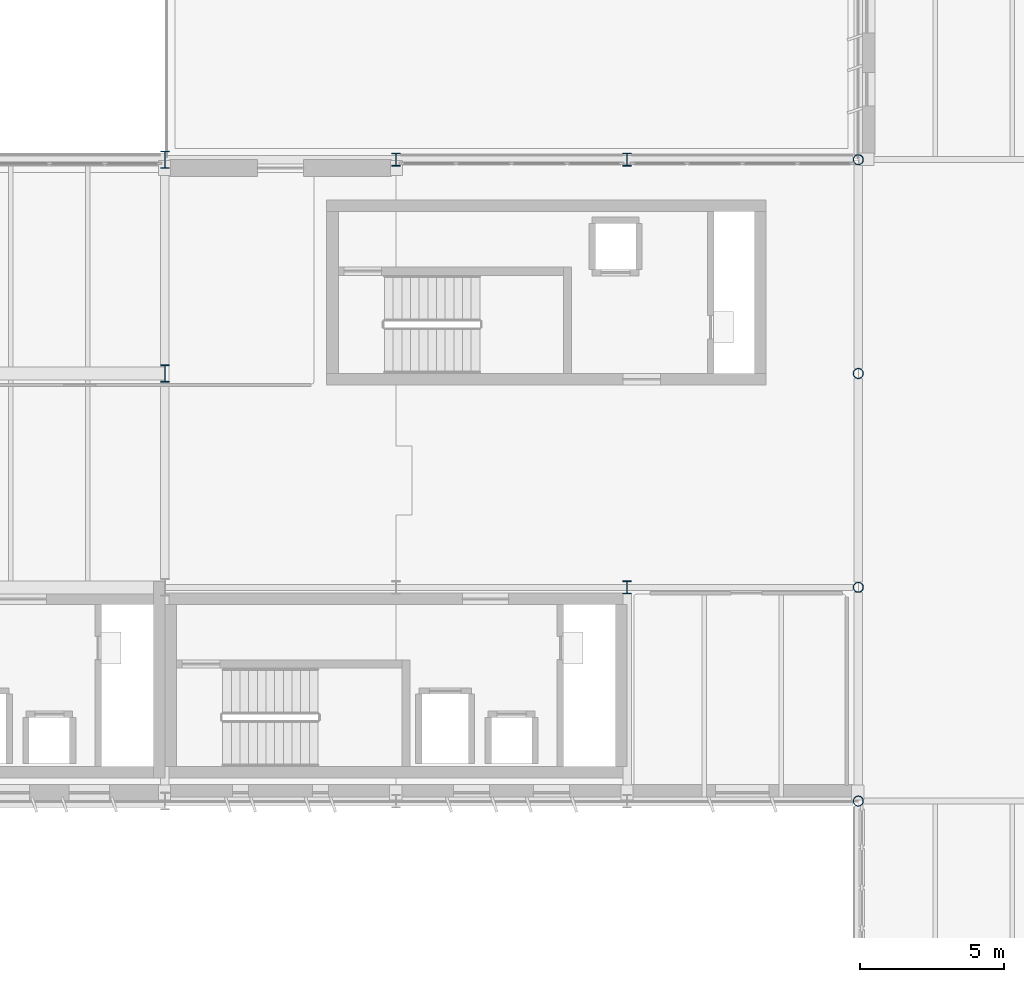
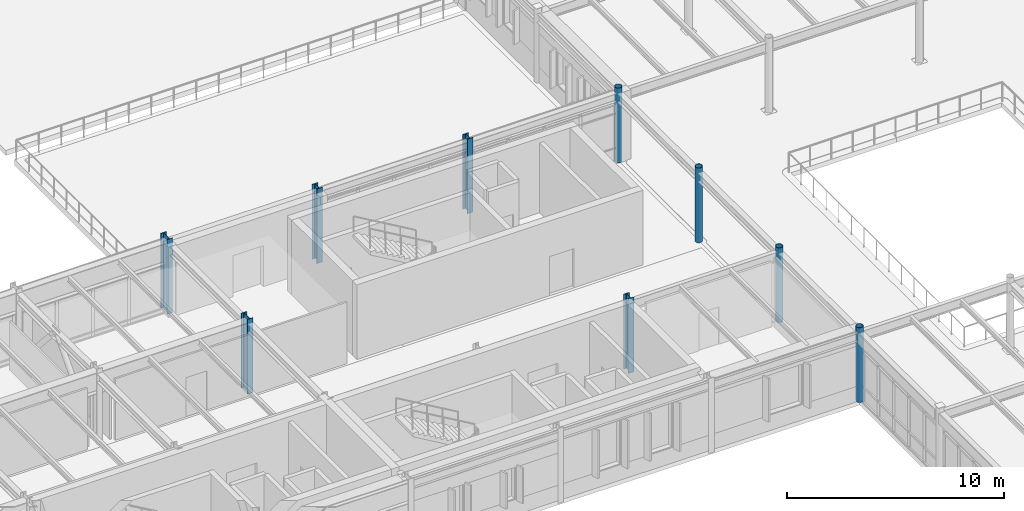
# One storey, part 3 of 63: 9 columns.
"""IFC4 building model written with IfcOpenShell, lengths in metres."""

from ifc_helpers import new_model, si_unit, direction, frame, origin, origin_2d, place, context, subcontext, project, spatial, hollow_circle, i_section, extrude, material, material_profile, profile_set, type_object, element, save


model = new_model("IFC4")

# Units and contexts
model_context = context("Model", 3, precision=1e-05, world=origin(), true_north=direction((0.0, 1.0)))
body_context = subcontext(model_context, "Body", "Model", "MODEL_VIEW")
ifc_project = project(units=[si_unit("LENGTHUNIT", "METRE"), si_unit("AREAUNIT", "SQUARE_METRE"), si_unit("VOLUMEUNIT", "CUBIC_METRE"), si_unit("PLANEANGLEUNIT", "RADIAN"), si_unit("MASSUNIT", "GRAM", prefix="KILO")], contexts=[model_context])

# Site, building, storey
site_placement = place(None, origin())
site = spatial("IfcSite", under=ifc_project, at=site_placement, CompositionType="ELEMENT")
building_placement = place(site_placement, origin())
building = spatial("IfcBuilding", under=site, at=building_placement, Name="Valkorina Park Police Headquarters", CompositionType="ELEMENT")
storey_placement = place(building_placement, frame((0.0, 0.0, 9.89990234375)))
storey = spatial("IfcBuildingStorey", under=building, at=storey_placement, Name="L03", CompositionType="ELEMENT", Elevation=9.89990234375)

# Columns
ifc_material = material(Name="Steel S355", Category="steel")
ifc_material_profile_1 = material_profile(ifc_material, hollow_circle(Radius=0.177734375, WallThickness=0.01611328125, at=origin_2d()), Name="CHS 355.6x16")
ifc_profile_set_1 = profile_set([ifc_material_profile_1], Name="Steel S355")
column_type_1 = type_object("IfcColumnType", Name="COL-S355-CHS355-EXT", PredefinedType="COLUMN", material=ifc_profile_set_1)
for number, where, z_axis, x_axis, name in (
    (1, (56.800048828125, 37.0, 0.0), (0.0, 0.0, 1.0), (1.0, 0.0, 0.0), "L03 Column 0751"),
    (2, (56.800048828125, 59.199951171875, 0.0), (0.0, 0.0, 1.0), (1.0, 0.0, 0.0), "L03 Column 0754"),
):
    element("IfcColumn", number, at=place(storey_placement, frame(where, z_axis=z_axis, x_axis=x_axis)), inside=storey, type_object=column_type_1, Name=name, PredefinedType="COLUMN", context=body_context, shape_type="SweptSolid", body=[
        extrude(hollow_circle(Radius=0.177734375, WallThickness=0.01611328125, at=origin_2d()), origin(), (0.0, 0.0, 1.0), 4.2001953125),
    ])
ifc_material_profile_2 = material_profile(ifc_material, hollow_circle(Radius=0.177734375, WallThickness=0.01611328125, at=origin_2d()), Name="CHS 355.6x16")
ifc_profile_set_2 = profile_set([ifc_material_profile_2], Name="Steel S355")
column_type_2 = type_object("IfcColumnType", Name="COL-S355-CHS355-INT", PredefinedType="COLUMN", material=ifc_profile_set_2)
for number, where, z_axis, x_axis, name in (
    (3, (56.800048828125, 44.39990234375, 0.0), (0.0, 0.0, 1.0), (1.0, 0.0, 0.0), "L03 Column 0752"),
    (4, (56.800048828125, 51.800048828125, 0.0), (0.0, 0.0, 1.0), (1.0, 0.0, 0.0), "L03 Column 0753"),
):
    element("IfcColumn", number, at=place(storey_placement, frame(where, z_axis=z_axis, x_axis=x_axis)), inside=storey, type_object=column_type_2, Name=name, PredefinedType="COLUMN", context=body_context, shape_type="SweptSolid", body=[
        extrude(hollow_circle(Radius=0.177734375, WallThickness=0.01611328125, at=origin_2d()), origin(), (0.0, 0.0, 1.0), 4.2001953125),
    ])
ifc_material_profile_3 = material_profile(ifc_material, i_section(OverallWidth=0.300048828125, OverallDepth=0.449951171875, WebThickness=0.013916015625, FlangeThickness=0.02587890625, FilletRadius=0.027099609375, at=origin_2d()), Name="HEB 450")
ifc_profile_set_3 = profile_set([ifc_material_profile_3], Name="Steel S355")
column_type_3 = type_object("IfcColumnType", Name="COL-S355-HEB450-EXT", PredefinedType="COLUMN", material=ifc_profile_set_3)
for number, where, z_axis, x_axis, name in (
    (5, (40.800048828125, 59.199951171875, 0.0), (0.0, 0.0, 1.0), (1.0, 0.0, 0.0), "L03 Column 0745"),
    (6, (48.800048828125, 59.199951171875, 0.0), (0.0, 0.0, 1.0), (1.0, 0.0, 0.0), "L03 Column 0748"),
):
    element("IfcColumn", number, at=place(storey_placement, frame(where, z_axis=z_axis, x_axis=x_axis)), inside=storey, type_object=column_type_3, Name=name, PredefinedType="COLUMN", context=body_context, shape_type="SweptSolid", body=[
        extrude(i_section(OverallWidth=0.300048828125, OverallDepth=0.449951171875, WebThickness=0.013916015625, FlangeThickness=0.02587890625, FilletRadius=0.027099609375, at=origin_2d()), origin(), (0.0, 0.0, 1.0), 4.2001953125),
    ])
ifc_material_profile_4 = material_profile(ifc_material, i_section(OverallWidth=0.300048828125, OverallDepth=0.449951171875, WebThickness=0.013916015625, FlangeThickness=0.02587890625, FilletRadius=0.027099609375, at=origin_2d()), Name="HEB 450")
ifc_profile_set_4 = profile_set([ifc_material_profile_4], Name="Steel S355")
column_type_4 = type_object("IfcColumnType", Name="COL-S355-HEB450-INT", PredefinedType="COLUMN", material=ifc_profile_set_4)
column_1_placement = place(storey_placement, frame((48.800048828125, 44.39990234375, 0.0), z_axis=(0.0, 0.0, 1.0), x_axis=(1.0, 0.0, 0.0)))
element("IfcColumn", 7, at=column_1_placement, inside=storey, type_object=column_type_4, Name="L03 Column 0747", PredefinedType="COLUMN", context=body_context, shape_type="SweptSolid", body=[
    extrude(i_section(OverallWidth=0.300048828125, OverallDepth=0.449951171875, WebThickness=0.013916015625, FlangeThickness=0.02587890625, FilletRadius=0.027099609375, at=origin_2d()), origin(), (0.0, 0.0, 1.0), 4.2001953125),
])
ifc_material_profile_5 = material_profile(ifc_material, i_section(OverallWidth=0.300048828125, OverallDepth=0.60009765625, WebThickness=0.015380859375, FlangeThickness=0.030029296875, FilletRadius=0.027099609375, at=origin_2d()), Name="HEB 600")
ifc_profile_set_5 = profile_set([ifc_material_profile_5], Name="Steel S355")
column_type_5 = type_object("IfcColumnType", Name="COL-S355-HEB600-EXT", PredefinedType="COLUMN", material=ifc_profile_set_5)
column_2_placement = place(storey_placement, frame((32.800048828125, 59.199951171875, 0.0), z_axis=(0.0, 0.0, 1.0), x_axis=(1.0, 0.0, 0.0)))
element("IfcColumn", 8, at=column_2_placement, inside=storey, type_object=column_type_5, Name="L03 Column 0742", PredefinedType="COLUMN", context=body_context, shape_type="SweptSolid", body=[
    extrude(i_section(OverallWidth=0.300048828125, OverallDepth=0.60009765625, WebThickness=0.015380859375, FlangeThickness=0.030029296875, FilletRadius=0.027099609375, at=origin_2d()), origin(), (0.0, 0.0, 1.0), 4.2001953125),
])
ifc_material_profile_6 = material_profile(ifc_material, i_section(OverallWidth=0.300048828125, OverallDepth=0.60009765625, WebThickness=0.015380859375, FlangeThickness=0.030029296875, FilletRadius=0.027099609375, at=origin_2d()), Name="HEB 600")
ifc_profile_set_6 = profile_set([ifc_material_profile_6], Name="Steel S355")
column_type_6 = type_object("IfcColumnType", Name="COL-S355-HEB600-INT", PredefinedType="COLUMN", material=ifc_profile_set_6)
column_3_placement = place(storey_placement, frame((32.800048828125, 51.800048828125, 0.0), z_axis=(0.0, 0.0, 1.0), x_axis=(1.0, 0.0, 0.0)))
element("IfcColumn", 9, at=column_3_placement, inside=storey, type_object=column_type_6, Name="L03 Column 0741", PredefinedType="COLUMN", context=body_context, shape_type="SweptSolid", body=[
    extrude(i_section(OverallWidth=0.300048828125, OverallDepth=0.60009765625, WebThickness=0.015380859375, FlangeThickness=0.030029296875, FilletRadius=0.027099609375, at=origin_2d()), origin(), (0.0, 0.0, 1.0), 4.2001953125),
])

save(model, "model.ifc")
